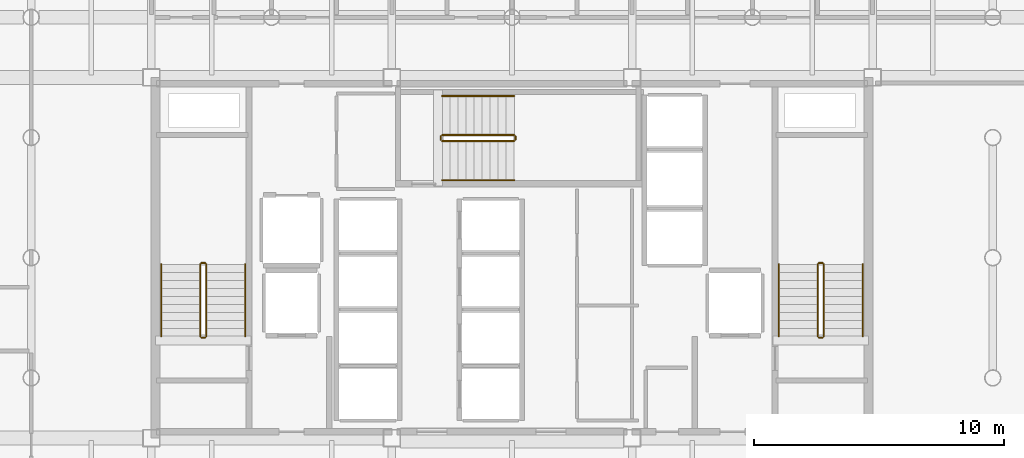
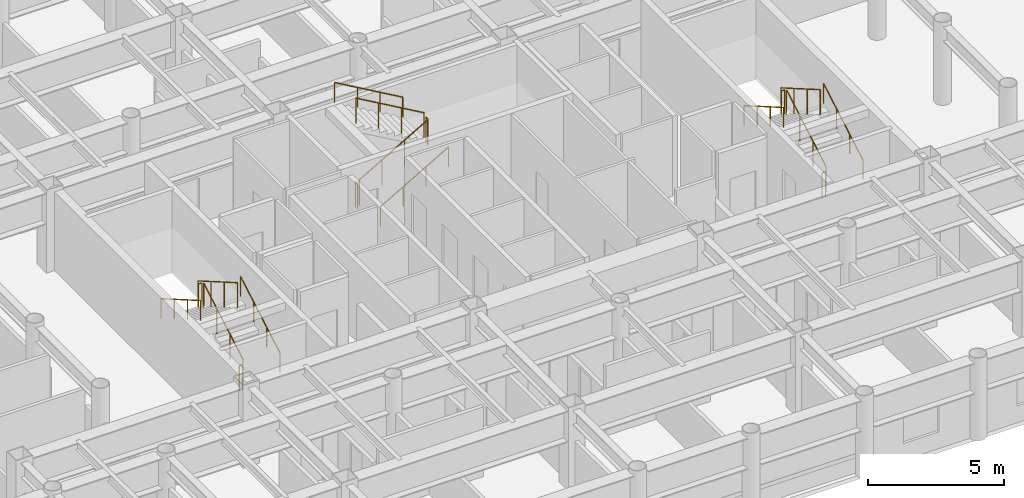
# One storey, part 22 of 23: 18 railings.
"""IFC4 building model written with IfcOpenShell, lengths in metres."""

from ifc_helpers import new_model, si_unit, direction, frame, origin, origin_2d, place, context, subcontext, project, spatial, circle, extrude, material, layer, layer_set, type_object, element, save


model = new_model("IFC4")

# Units and contexts
model_context = context("Model", 3, precision=1e-05, world=origin(), true_north=direction((0.0, 1.0)))
body_context = subcontext(model_context, "Body", "Model", "MODEL_VIEW")
ifc_project = project(units=[si_unit("LENGTHUNIT", "METRE"), si_unit("AREAUNIT", "SQUARE_METRE"), si_unit("VOLUMEUNIT", "CUBIC_METRE"), si_unit("PLANEANGLEUNIT", "RADIAN"), si_unit("MASSUNIT", "GRAM", prefix="KILO")], contexts=[model_context])

# Site, building, storey
site_placement = place(None, origin())
site = spatial("IfcSite", under=ifc_project, at=site_placement, CompositionType="ELEMENT")
building_placement = place(site_placement, origin())
building = spatial("IfcBuilding", under=site, at=building_placement, Name="Kallvorn Hotel Tower", CompositionType="ELEMENT")
storey_placement = place(building_placement, frame((0.0, 0.0, 124.800048828125)))
storey = spatial("IfcBuildingStorey", under=building, at=storey_placement, Name="L30", CompositionType="ELEMENT", Elevation=124.800048828125)

# Railings
ifc_material_1 = material(Name="Brushed stainless-steel tubular railing", Category="steel")
ifc_layer_1 = layer(ifc_material_1, 0.050048828125)
ifc_layer_set_1 = layer_set([ifc_layer_1], Name="RL_STAIR_GUARD")
railing_type_1 = type_object("IfcRailingType", Name="RL_STAIR_GUARD", PredefinedType="GUARDRAIL", material=ifc_layer_set_1)
railing_1_placement = place(storey_placement, frame((-12.2099609375, -3.139892578125, 0.18505859375)))
element("IfcRailing", 1, at=railing_1_placement, inside=storey, type_object=railing_type_1, Name="L30 ST1 stair guard 1", PredefinedType="GUARDRAIL", context=body_context, shape_type="SweptSolid", body=[
    extrude(circle(Radius=0.02392578125, at=origin_2d()), frame((0.0, 0.0, 1.1259765625), z_axis=(0.0, 0.86575271903, 0.500472006703), x_axis=(-1.0, 0.0, 0.0)), (0.0, 0.0, 1.0), 3.326416015625),
    extrude(circle(Radius=0.02099609375, at=origin_2d()), origin(), (0.0, 0.0, 1.0), 1.101806640625),
    extrude(circle(Radius=0.02099609375, at=origin_2d()), frame((0.0, 0.9599609375, 0.554931640625)), (0.0, 0.0, 1.0), 1.101806640625),
    extrude(circle(Radius=0.02099609375, at=origin_2d()), frame((0.0, 1.919921875, 1.10986328125)), (0.0, 0.0, 1.0), 1.101806640625),
    extrude(circle(Radius=0.02099609375, at=origin_2d()), frame((0.0, 2.8798828125, 1.664794921875)), (0.0, 0.0, 1.0), 1.101806640625),
])
railing_2_placement = place(storey_placement, frame((-12.260009765625, -0.2099609375, 1.849853515625)))
element("IfcRailing", 2, at=railing_2_placement, inside=storey, type_object=railing_type_1, Name="L30 ST1 stair guard 2", PredefinedType="GUARDRAIL", context=body_context, shape_type="SweptSolid", body=[
    extrude(circle(Radius=0.02392578125, at=origin_2d()), frame((0.0, 0.0, 1.1259765625), z_axis=(-1.0, 0.0, 0.0), x_axis=(0.0, -1.0, 0.0)), (0.0, 0.0, 1.0), 0.139892578125),
    extrude(circle(Radius=0.02099609375, at=origin_2d()), origin(), (0.0, 0.0, 1.0), 1.101806640625),
    extrude(circle(Radius=0.02099609375, at=origin_2d()), frame((-0.139892578125, 0.0, 0.0)), (0.0, 0.0, 1.0), 1.101806640625),
])
railing_3_placement = place(storey_placement, frame((-12.449951171875, -0.260009765625, 2.034912109375)))
element("IfcRailing", 3, at=railing_3_placement, inside=storey, type_object=railing_type_1, Name="L30 ST1 stair guard 3", PredefinedType="GUARDRAIL", context=body_context, shape_type="SweptSolid", body=[
    extrude(circle(Radius=0.02392578125, at=origin_2d()), frame((0.0, 0.0, 1.1259765625), z_axis=(0.0, -0.865720918037, 0.500527014328), x_axis=(1.0, 0.0, 0.0)), (0.0, 0.0, 1.0), 3.32666015625),
    extrude(circle(Radius=0.02099609375, at=origin_2d()), origin(), (0.0, 0.0, 1.0), 1.101806640625),
    extrude(circle(Radius=0.02099609375, at=origin_2d()), frame((0.0, -0.9599609375, 0.554931640625)), (0.0, 0.0, 1.0), 1.101806640625),
    extrude(circle(Radius=0.02099609375, at=origin_2d()), frame((0.0, -1.919921875, 1.110107421875)), (0.0, 0.0, 1.0), 1.101806640625),
    extrude(circle(Radius=0.02099609375, at=origin_2d()), frame((0.0, -2.8798828125, 1.6650390625)), (0.0, 0.0, 1.0), 1.101806640625),
])
railing_4_placement = place(storey_placement, frame((-12.260009765625, -3.18994140625, 0.0)))
element("IfcRailing", 4, at=railing_4_placement, inside=storey, type_object=railing_type_1, Name="L30 ST1 stair guard 4", PredefinedType="GUARDRAIL", context=body_context, shape_type="SweptSolid", body=[
    extrude(circle(Radius=0.02392578125, at=origin_2d()), frame((0.0, 0.0, 1.1259765625), z_axis=(-1.0, 0.0, 0.0), x_axis=(0.0, -1.0, 0.0)), (0.0, 0.0, 1.0), 0.139892578125),
    extrude(circle(Radius=0.02099609375, at=origin_2d()), origin(), (0.0, 0.0, 1.0), 1.101806640625),
    extrude(circle(Radius=0.02099609375, at=origin_2d()), frame((-0.139892578125, 0.0, 0.0)), (0.0, 0.0, 1.0), 1.101806640625),
])
railing_5_placement = place(storey_placement, frame((12.449951171875, -3.139892578125, 0.18505859375)))
element("IfcRailing", 5, at=railing_5_placement, inside=storey, type_object=railing_type_1, Name="L30 ST2 stair guard 1", PredefinedType="GUARDRAIL", context=body_context, shape_type="SweptSolid", body=[
    extrude(circle(Radius=0.02392578125, at=origin_2d()), frame((0.0, 0.0, 1.1259765625), z_axis=(0.0, 0.86575271903, 0.500472006703), x_axis=(-1.0, 0.0, 0.0)), (0.0, 0.0, 1.0), 3.326416015625),
    extrude(circle(Radius=0.02099609375, at=origin_2d()), origin(), (0.0, 0.0, 1.0), 1.101806640625),
    extrude(circle(Radius=0.02099609375, at=origin_2d()), frame((0.0, 0.9599609375, 0.554931640625)), (0.0, 0.0, 1.0), 1.101806640625),
    extrude(circle(Radius=0.02099609375, at=origin_2d()), frame((0.0, 1.919921875, 1.10986328125)), (0.0, 0.0, 1.0), 1.101806640625),
    extrude(circle(Radius=0.02099609375, at=origin_2d()), frame((0.0, 2.8798828125, 1.664794921875)), (0.0, 0.0, 1.0), 1.101806640625),
])
railing_6_placement = place(storey_placement, frame((12.39990234375, -0.2099609375, 1.849853515625)))
element("IfcRailing", 6, at=railing_6_placement, inside=storey, type_object=railing_type_1, Name="L30 ST2 stair guard 2", PredefinedType="GUARDRAIL", context=body_context, shape_type="SweptSolid", body=[
    extrude(circle(Radius=0.02392578125, at=origin_2d()), frame((0.0, 0.0, 1.1259765625), z_axis=(-1.0, 0.0, 0.0), x_axis=(0.0, -1.0, 0.0)), (0.0, 0.0, 1.0), 0.139892578125),
    extrude(circle(Radius=0.02099609375, at=origin_2d()), origin(), (0.0, 0.0, 1.0), 1.101806640625),
    extrude(circle(Radius=0.02099609375, at=origin_2d()), frame((-0.139892578125, 0.0, 0.0)), (0.0, 0.0, 1.0), 1.101806640625),
])
railing_7_placement = place(storey_placement, frame((12.2099609375, -0.260009765625, 2.034912109375)))
element("IfcRailing", 7, at=railing_7_placement, inside=storey, type_object=railing_type_1, Name="L30 ST2 stair guard 3", PredefinedType="GUARDRAIL", context=body_context, shape_type="SweptSolid", body=[
    extrude(circle(Radius=0.02392578125, at=origin_2d()), frame((0.0, 0.0, 1.1259765625), z_axis=(0.0, -0.865720918037, 0.500527014328), x_axis=(1.0, 0.0, 0.0)), (0.0, 0.0, 1.0), 3.32666015625),
    extrude(circle(Radius=0.02099609375, at=origin_2d()), origin(), (0.0, 0.0, 1.0), 1.101806640625),
    extrude(circle(Radius=0.02099609375, at=origin_2d()), frame((0.0, -0.9599609375, 0.554931640625)), (0.0, 0.0, 1.0), 1.101806640625),
    extrude(circle(Radius=0.02099609375, at=origin_2d()), frame((0.0, -1.919921875, 1.110107421875)), (0.0, 0.0, 1.0), 1.101806640625),
    extrude(circle(Radius=0.02099609375, at=origin_2d()), frame((0.0, -2.8798828125, 1.6650390625)), (0.0, 0.0, 1.0), 1.101806640625),
])
railing_8_placement = place(storey_placement, frame((12.39990234375, -3.18994140625, 0.0)))
element("IfcRailing", 8, at=railing_8_placement, inside=storey, type_object=railing_type_1, Name="L30 ST2 stair guard 4", PredefinedType="GUARDRAIL", context=body_context, shape_type="SweptSolid", body=[
    extrude(circle(Radius=0.02392578125, at=origin_2d()), frame((0.0, 0.0, 1.1259765625), z_axis=(-1.0, 0.0, 0.0), x_axis=(0.0, -1.0, 0.0)), (0.0, 0.0, 1.0), 0.139892578125),
    extrude(circle(Radius=0.02099609375, at=origin_2d()), origin(), (0.0, 0.0, 1.0), 1.101806640625),
    extrude(circle(Radius=0.02099609375, at=origin_2d()), frame((-0.139892578125, 0.0, 0.0)), (0.0, 0.0, 1.0), 1.101806640625),
])
railing_9_placement = place(storey_placement, frame((-2.7900390625, 4.659912109375, 0.18505859375)))
element("IfcRailing", 9, at=railing_9_placement, inside=storey, type_object=railing_type_1, Name="L30 ST3 stair guard 1", PredefinedType="GUARDRAIL", context=body_context, shape_type="SweptSolid", body=[
    extrude(circle(Radius=0.02392578125, at=origin_2d()), frame((0.0, 0.0, 1.1259765625), z_axis=(0.865771100375, 0.0, 0.500440207973), x_axis=(0.0, 1.0, 0.0)), (0.0, 0.0, 1.0), 3.32666015625),
    extrude(circle(Radius=0.02099609375, at=origin_2d()), origin(), (0.0, 0.0, 1.0), 1.101806640625),
    extrude(circle(Radius=0.02099609375, at=origin_2d()), frame((0.9599609375, 0.0, 0.554931640625)), (0.0, 0.0, 1.0), 1.101806640625),
    extrude(circle(Radius=0.02099609375, at=origin_2d()), frame((1.920166015625, 0.0, 1.10986328125)), (0.0, 0.0, 1.0), 1.101806640625),
    extrude(circle(Radius=0.02099609375, at=origin_2d()), frame((2.880126953125, 0.0, 1.664794921875)), (0.0, 0.0, 1.0), 1.101806640625),
])
railing_10_placement = place(storey_placement, frame((0.139892578125, 4.7099609375, 1.849853515625)))
element("IfcRailing", 10, at=railing_10_placement, inside=storey, type_object=railing_type_1, Name="L30 ST3 stair guard 2", PredefinedType="GUARDRAIL", context=body_context, shape_type="SweptSolid", body=[
    extrude(circle(Radius=0.02392578125, at=origin_2d()), frame((0.0, 0.0, 1.1259765625), z_axis=(0.0, 1.0, 0.0), x_axis=(-1.0, 0.0, 0.0)), (0.0, 0.0, 1.0), 0.14013671875),
    extrude(circle(Radius=0.02099609375, at=origin_2d()), origin(), (0.0, 0.0, 1.0), 1.101806640625),
    extrude(circle(Radius=0.02099609375, at=origin_2d()), frame((0.0, 0.14013671875, 0.0)), (0.0, 0.0, 1.0), 1.101806640625),
])
railing_11_placement = place(storey_placement, frame((0.090087890625, 4.89990234375, 2.034912109375)))
element("IfcRailing", 11, at=railing_11_placement, inside=storey, type_object=railing_type_1, Name="L30 ST3 stair guard 3", PredefinedType="GUARDRAIL", context=body_context, shape_type="SweptSolid", body=[
    extrude(circle(Radius=0.02392578125, at=origin_2d()), frame((0.0, 0.0, 1.1259765625), z_axis=(-0.865739302748, 0.0, 0.50049521444), x_axis=(0.0, -1.0, 0.0)), (0.0, 0.0, 1.0), 3.326904296875),
    extrude(circle(Radius=0.02099609375, at=origin_2d()), origin(), (0.0, 0.0, 1.0), 1.101806640625),
    extrude(circle(Radius=0.02099609375, at=origin_2d()), frame((-0.9599609375, 0.0, 0.554931640625)), (0.0, 0.0, 1.0), 1.101806640625),
    extrude(circle(Radius=0.02099609375, at=origin_2d()), frame((-1.920166015625, 0.0, 1.110107421875)), (0.0, 0.0, 1.0), 1.101806640625),
    extrude(circle(Radius=0.02099609375, at=origin_2d()), frame((-2.880126953125, 0.0, 1.6650390625)), (0.0, 0.0, 1.0), 1.101806640625),
])
railing_12_placement = place(storey_placement, frame((-2.840087890625, 4.7099609375, 0.0)))
element("IfcRailing", 12, at=railing_12_placement, inside=storey, type_object=railing_type_1, Name="L30 ST3 stair guard 4", PredefinedType="GUARDRAIL", context=body_context, shape_type="SweptSolid", body=[
    extrude(circle(Radius=0.02392578125, at=origin_2d()), frame((0.0, 0.0, 1.1259765625), z_axis=(0.0, 1.0, 0.0), x_axis=(-1.0, 0.0, 0.0)), (0.0, 0.0, 1.0), 0.14013671875),
    extrude(circle(Radius=0.02099609375, at=origin_2d()), origin(), (0.0, 0.0, 1.0), 1.101806640625),
    extrude(circle(Radius=0.02099609375, at=origin_2d()), frame((0.0, 0.14013671875, 0.0)), (0.0, 0.0, 1.0), 1.101806640625),
])
ifc_material_2 = material(Name="Brushed stainless-steel tubular railing", Category="steel")
ifc_layer_2 = layer(ifc_material_2, 0.050048828125)
ifc_layer_set_2 = layer_set([ifc_layer_2], Name="RL_STAIR_HAND")
railing_type_2 = type_object("IfcRailingType", Name="RL_STAIR_HAND", PredefinedType="HANDRAIL", material=ifc_layer_set_2)
railing_13_placement = place(storey_placement, frame((-10.64990234375, -3.139892578125, 0.18505859375)))
element("IfcRailing", 13, at=railing_13_placement, inside=storey, type_object=railing_type_2, Name="L30 ST1 stair handrail 1", PredefinedType="HANDRAIL", context=body_context, shape_type="SweptSolid", body=[
    extrude(circle(Radius=0.02392578125, at=origin_2d()), frame((0.0, 0.0, 0.8759765625), z_axis=(0.0, 0.86575271903, 0.500472006703), x_axis=(-1.0, 0.0, 0.0)), (0.0, 0.0, 1.0), 3.326416015625),
    extrude(circle(Radius=0.02099609375, at=origin_2d()), origin(), (0.0, 0.0, 1.0), 0.851806640625),
    extrude(circle(Radius=0.02099609375, at=origin_2d()), frame((0.0, 0.9599609375, 0.554931640625)), (0.0, 0.0, 1.0), 0.851806640625),
    extrude(circle(Radius=0.02099609375, at=origin_2d()), frame((0.0, 1.919921875, 1.10986328125)), (0.0, 0.0, 1.0), 0.851806640625),
    extrude(circle(Radius=0.02099609375, at=origin_2d()), frame((0.0, 2.8798828125, 1.664794921875)), (0.0, 0.0, 1.0), 0.851806640625),
])
railing_14_placement = place(storey_placement, frame((-14.010009765625, -0.260009765625, 2.034912109375)))
element("IfcRailing", 14, at=railing_14_placement, inside=storey, type_object=railing_type_2, Name="L30 ST1 stair handrail 2", PredefinedType="HANDRAIL", context=body_context, shape_type="SweptSolid", body=[
    extrude(circle(Radius=0.02392578125, at=origin_2d()), frame((0.0, 0.0, 0.8759765625), z_axis=(0.0, -0.865720918037, 0.500527014328), x_axis=(1.0, 0.0, 0.0)), (0.0, 0.0, 1.0), 3.32666015625),
    extrude(circle(Radius=0.02099609375, at=origin_2d()), origin(), (0.0, 0.0, 1.0), 0.851806640625),
    extrude(circle(Radius=0.02099609375, at=origin_2d()), frame((0.0, -0.9599609375, 0.554931640625)), (0.0, 0.0, 1.0), 0.851806640625),
    extrude(circle(Radius=0.02099609375, at=origin_2d()), frame((0.0, -1.919921875, 1.110107421875)), (0.0, 0.0, 1.0), 0.851806640625),
    extrude(circle(Radius=0.02099609375, at=origin_2d()), frame((0.0, -2.8798828125, 1.6650390625)), (0.0, 0.0, 1.0), 0.851806640625),
])
railing_15_placement = place(storey_placement, frame((14.010009765625, -3.139892578125, 0.18505859375)))
element("IfcRailing", 15, at=railing_15_placement, inside=storey, type_object=railing_type_2, Name="L30 ST2 stair handrail 1", PredefinedType="HANDRAIL", context=body_context, shape_type="SweptSolid", body=[
    extrude(circle(Radius=0.02392578125, at=origin_2d()), frame((0.0, 0.0, 0.8759765625), z_axis=(0.0, 0.86575271903, 0.500472006703), x_axis=(-1.0, 0.0, 0.0)), (0.0, 0.0, 1.0), 3.326416015625),
    extrude(circle(Radius=0.02099609375, at=origin_2d()), origin(), (0.0, 0.0, 1.0), 0.851806640625),
    extrude(circle(Radius=0.02099609375, at=origin_2d()), frame((0.0, 0.9599609375, 0.554931640625)), (0.0, 0.0, 1.0), 0.851806640625),
    extrude(circle(Radius=0.02099609375, at=origin_2d()), frame((0.0, 1.919921875, 1.10986328125)), (0.0, 0.0, 1.0), 0.851806640625),
    extrude(circle(Radius=0.02099609375, at=origin_2d()), frame((0.0, 2.8798828125, 1.664794921875)), (0.0, 0.0, 1.0), 0.851806640625),
])
railing_16_placement = place(storey_placement, frame((10.64990234375, -0.260009765625, 2.034912109375)))
element("IfcRailing", 16, at=railing_16_placement, inside=storey, type_object=railing_type_2, Name="L30 ST2 stair handrail 2", PredefinedType="HANDRAIL", context=body_context, shape_type="SweptSolid", body=[
    extrude(circle(Radius=0.02392578125, at=origin_2d()), frame((0.0, 0.0, 0.8759765625), z_axis=(0.0, -0.865720918037, 0.500527014328), x_axis=(1.0, 0.0, 0.0)), (0.0, 0.0, 1.0), 3.32666015625),
    extrude(circle(Radius=0.02099609375, at=origin_2d()), origin(), (0.0, 0.0, 1.0), 0.851806640625),
    extrude(circle(Radius=0.02099609375, at=origin_2d()), frame((0.0, -0.9599609375, 0.554931640625)), (0.0, 0.0, 1.0), 0.851806640625),
    extrude(circle(Radius=0.02099609375, at=origin_2d()), frame((0.0, -1.919921875, 1.110107421875)), (0.0, 0.0, 1.0), 0.851806640625),
    extrude(circle(Radius=0.02099609375, at=origin_2d()), frame((0.0, -2.8798828125, 1.6650390625)), (0.0, 0.0, 1.0), 0.851806640625),
])
railing_17_placement = place(storey_placement, frame((-2.7900390625, 3.10009765625, 0.18505859375)))
element("IfcRailing", 17, at=railing_17_placement, inside=storey, type_object=railing_type_2, Name="L30 ST3 stair handrail 1", PredefinedType="HANDRAIL", context=body_context, shape_type="SweptSolid", body=[
    extrude(circle(Radius=0.02392578125, at=origin_2d()), frame((0.0, 0.0, 0.8759765625), z_axis=(0.865771100375, 0.0, 0.500440207973), x_axis=(0.0, 1.0, 0.0)), (0.0, 0.0, 1.0), 3.32666015625),
    extrude(circle(Radius=0.02099609375, at=origin_2d()), origin(), (0.0, 0.0, 1.0), 0.851806640625),
    extrude(circle(Radius=0.02099609375, at=origin_2d()), frame((0.9599609375, 0.0, 0.554931640625)), (0.0, 0.0, 1.0), 0.851806640625),
    extrude(circle(Radius=0.02099609375, at=origin_2d()), frame((1.920166015625, 0.0, 1.10986328125)), (0.0, 0.0, 1.0), 0.851806640625),
    extrude(circle(Radius=0.02099609375, at=origin_2d()), frame((2.880126953125, 0.0, 1.664794921875)), (0.0, 0.0, 1.0), 0.851806640625),
])
railing_18_placement = place(storey_placement, frame((0.090087890625, 6.4599609375, 2.034912109375)))
element("IfcRailing", 18, at=railing_18_placement, inside=storey, type_object=railing_type_2, Name="L30 ST3 stair handrail 2", PredefinedType="HANDRAIL", context=body_context, shape_type="SweptSolid", body=[
    extrude(circle(Radius=0.02392578125, at=origin_2d()), frame((0.0, 0.0, 0.8759765625), z_axis=(-0.865739302748, 0.0, 0.50049521444), x_axis=(0.0, -1.0, 0.0)), (0.0, 0.0, 1.0), 3.326904296875),
    extrude(circle(Radius=0.02099609375, at=origin_2d()), origin(), (0.0, 0.0, 1.0), 0.851806640625),
    extrude(circle(Radius=0.02099609375, at=origin_2d()), frame((-0.9599609375, 0.0, 0.554931640625)), (0.0, 0.0, 1.0), 0.851806640625),
    extrude(circle(Radius=0.02099609375, at=origin_2d()), frame((-1.920166015625, 0.0, 1.110107421875)), (0.0, 0.0, 1.0), 0.851806640625),
    extrude(circle(Radius=0.02099609375, at=origin_2d()), frame((-2.880126953125, 0.0, 1.6650390625)), (0.0, 0.0, 1.0), 0.851806640625),
])

save(model, "model.ifc")
